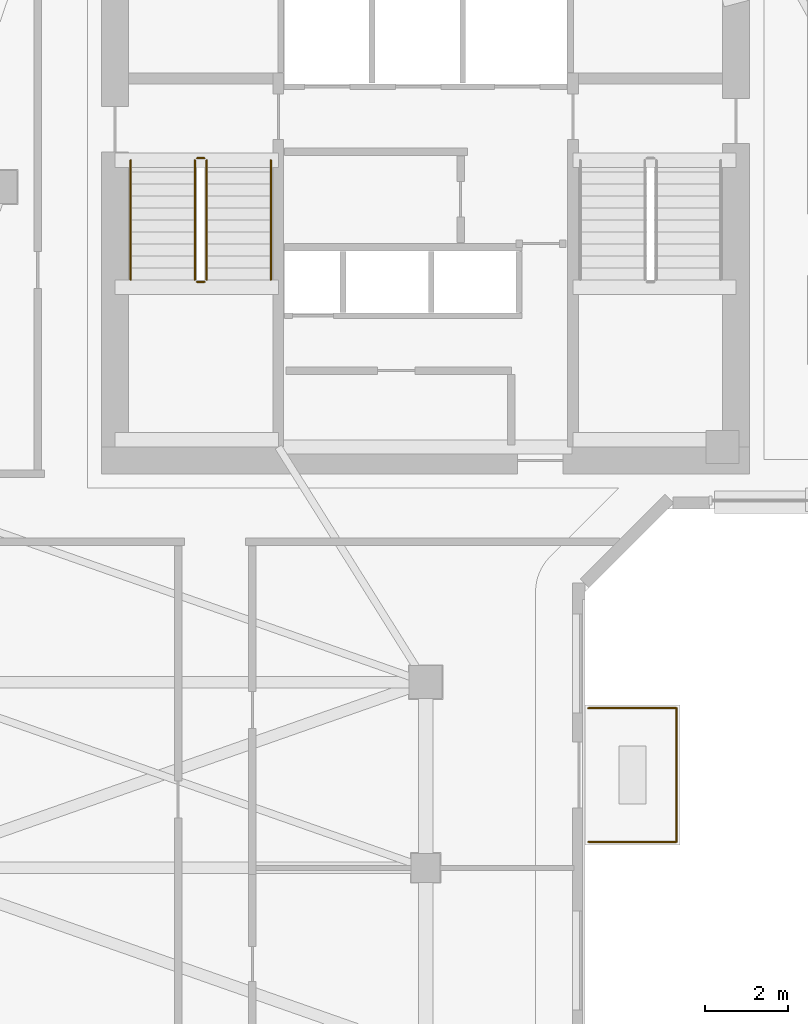
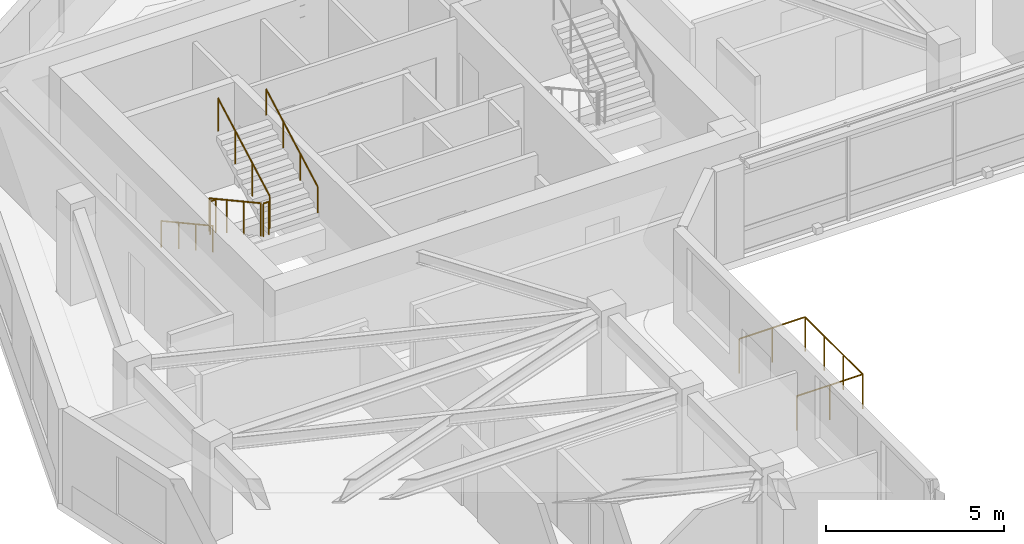
# One storey, part 7 of 9: 9 railings.
"""IFC4 building model written with IfcOpenShell, lengths in metres."""

from ifc_helpers import new_model, si_unit, direction, frame, origin, origin_2d, place, context, subcontext, project, spatial, circle, extrude, material, type_object, element, save


model = new_model("IFC4")

# Units and contexts
model_context = context("Model", 3, precision=1e-05, world=origin(), true_north=direction((0.0, 1.0)))
body_context = subcontext(model_context, "Body", "Model", "MODEL_VIEW")
ifc_project = project(units=[si_unit("LENGTHUNIT", "METRE"), si_unit("AREAUNIT", "SQUARE_METRE"), si_unit("VOLUMEUNIT", "CUBIC_METRE"), si_unit("PLANEANGLEUNIT", "RADIAN"), si_unit("MASSUNIT", "GRAM", prefix="KILO")], contexts=[model_context])

# Site, building, storey
site_placement = place(None, origin())
site = spatial("IfcSite", under=ifc_project, at=site_placement, CompositionType="ELEMENT")
building_placement = place(site_placement, origin())
building = spatial("IfcBuilding", under=site, at=building_placement, Name="Calvemar Wedge Station Tower", CompositionType="ELEMENT")
storey_placement = place(building_placement, frame((0.0, 0.0, 235.89990234375)))
storey = spatial("IfcBuildingStorey", under=building, at=storey_placement, Name="L60", CompositionType="ELEMENT", Elevation=235.89990234375)

# Railings
ifc_material_1 = material(Name="Stainless steel AISI 316L", Category="steel")
railing_type_1 = type_object("IfcRailingType", Name="GRD-TERR-1200", PredefinedType="GUARDRAIL", material=ifc_material_1)
railing_1_placement = place(storey_placement, frame((27.743896484375, 27.8701171875, 0.0)))
element("IfcRailing", 1, at=railing_1_placement, inside=storey, type_object=railing_type_1, Name="Storey L60 Spiral Terrace Guard 2", PredefinedType="GUARDRAIL", context=body_context, shape_type="SweptSolid", body=[
    extrude(circle(Radius=0.02392578125, at=origin_2d()), frame((0.0, 0.0, 1.17578125), z_axis=(1.0, 0.0, 0.0), x_axis=(0.0, 1.0, 0.0)), (0.0, 0.0, 1.0), 2.14013671875),
    extrude(circle(Radius=0.02099609375, at=origin_2d()), origin(), (0.0, 0.0, 1.0), 1.15185546875),
    extrude(circle(Radius=0.02099609375, at=origin_2d()), frame((1.070068359375, 0.0, 0.0)), (0.0, 0.0, 1.0), 1.15185546875),
    extrude(circle(Radius=0.02099609375, at=origin_2d()), frame((2.14013671875, 0.0, 0.0)), (0.0, 0.0, 1.0), 1.15185546875),
])
railing_2_placement = place(storey_placement, frame((29.884033203125, 27.8701171875, 0.0)))
element("IfcRailing", 2, at=railing_2_placement, inside=storey, type_object=railing_type_1, Name="Storey L60 Spiral Terrace Guard 3", PredefinedType="GUARDRAIL", context=body_context, shape_type="SweptSolid", body=[
    extrude(circle(Radius=0.02392578125, at=origin_2d()), frame((0.0, 0.0, 1.17578125), z_axis=(0.0, -1.0, 0.0), x_axis=(1.0, 0.0, 0.0)), (0.0, 0.0, 1.0), 3.240234375),
    extrude(circle(Radius=0.02099609375, at=origin_2d()), origin(), (0.0, 0.0, 1.0), 1.15185546875),
    extrude(circle(Radius=0.02099609375, at=origin_2d()), frame((0.0, -1.080078125, 0.0)), (0.0, 0.0, 1.0), 1.15185546875),
    extrude(circle(Radius=0.02099609375, at=origin_2d()), frame((0.0, -2.16015625, 0.0)), (0.0, 0.0, 1.0), 1.15185546875),
    extrude(circle(Radius=0.02099609375, at=origin_2d()), frame((0.0, -3.240234375, 0.0)), (0.0, 0.0, 1.0), 1.15185546875),
])
railing_3_placement = place(storey_placement, frame((29.884033203125, 24.6298828125, 0.0)))
element("IfcRailing", 3, at=railing_3_placement, inside=storey, type_object=railing_type_1, Name="Storey L60 Spiral Terrace Guard 4", PredefinedType="GUARDRAIL", context=body_context, shape_type="SweptSolid", body=[
    extrude(circle(Radius=0.02392578125, at=origin_2d()), frame((0.0, 0.0, 1.17578125), z_axis=(-1.0, 0.0, 0.0), x_axis=(0.0, -1.0, 0.0)), (0.0, 0.0, 1.0), 2.14013671875),
    extrude(circle(Radius=0.02099609375, at=origin_2d()), origin(), (0.0, 0.0, 1.0), 1.15185546875),
    extrude(circle(Radius=0.02099609375, at=origin_2d()), frame((-1.070068359375, 0.0, 0.0)), (0.0, 0.0, 1.0), 1.15185546875),
    extrude(circle(Radius=0.02099609375, at=origin_2d()), frame((-2.14013671875, 0.0, 0.0)), (0.0, 0.0, 1.0), 1.15185546875),
])
railing_type_2 = type_object("IfcRailingType", Name="RL-HANDRAIL-920", PredefinedType="HANDRAIL", material=ifc_material_1)
railing_4_placement = place(storey_placement, frame((16.64990234375, 41.14990234375, 0.1591796875)))
element("IfcRailing", 4, at=railing_4_placement, inside=storey, type_object=railing_type_2, Name="L60 ST-C1 stair handrail 1", PredefinedType="HANDRAIL", context=body_context, shape_type="SweptSolid", body=[
    extrude(circle(Radius=0.02392578125, at=origin_2d()), frame((0.0, 0.0, 0.89599609375), z_axis=(0.0, -0.876742130028, 0.480960744171), x_axis=(1.0, 0.0, 0.0)), (0.0, 0.0, 1.0), 3.3076171875),
    extrude(circle(Radius=0.02099609375, at=origin_2d()), origin(), (0.0, 0.0, 1.0), 0.871826171875),
    extrude(circle(Radius=0.02099609375, at=origin_2d()), frame((0.0, -0.966552734375, 0.5302734375)), (0.0, 0.0, 1.0), 0.871826171875),
    extrude(circle(Radius=0.02099609375, at=origin_2d()), frame((0.0, -1.933349609375, 1.060546875)), (0.0, 0.0, 1.0), 0.871826171875),
    extrude(circle(Radius=0.02099609375, at=origin_2d()), frame((0.0, -2.89990234375, 1.5908203125)), (0.0, 0.0, 1.0), 0.871826171875),
])
railing_5_placement = place(storey_placement, frame((20.050048828125, 38.25, 1.9091796875)))
element("IfcRailing", 5, at=railing_5_placement, inside=storey, type_object=railing_type_2, Name="L60 ST-C1 stair handrail 2", PredefinedType="HANDRAIL", context=body_context, shape_type="SweptSolid", body=[
    extrude(circle(Radius=0.02392578125, at=origin_2d()), frame((0.0, 0.0, 0.89599609375), z_axis=(0.0, 0.876742130028, 0.480960744171), x_axis=(-1.0, 0.0, 0.0)), (0.0, 0.0, 1.0), 3.3076171875),
    extrude(circle(Radius=0.02099609375, at=origin_2d()), origin(), (0.0, 0.0, 1.0), 0.871826171875),
    extrude(circle(Radius=0.02099609375, at=origin_2d()), frame((0.0, 0.966552734375, 0.5302734375)), (0.0, 0.0, 1.0), 0.871826171875),
    extrude(circle(Radius=0.02099609375, at=origin_2d()), frame((0.0, 1.933349609375, 1.060546875)), (0.0, 0.0, 1.0), 0.871826171875),
    extrude(circle(Radius=0.02099609375, at=origin_2d()), frame((0.0, 2.89990234375, 1.5908203125)), (0.0, 0.0, 1.0), 0.871826171875),
])
ifc_material_2 = material(Name="Painted steel guardrail ASTM A500 Grade C", Category="steel")
railing_type_3 = type_object("IfcRailingType", Name="RL-STAIR-GUARD-1150", PredefinedType="GUARDRAIL", material=ifc_material_2)
railing_6_placement = place(storey_placement, frame((18.2099609375, 41.14990234375, 0.1591796875)))
element("IfcRailing", 6, at=railing_6_placement, inside=storey, type_object=railing_type_3, Name="L60 ST-C1 stair guard 1", PredefinedType="GUARDRAIL", context=body_context, shape_type="SweptSolid", body=[
    extrude(circle(Radius=0.02392578125, at=origin_2d()), frame((0.0, 0.0, 1.1259765625), z_axis=(0.0, -0.876742130028, 0.480960744171), x_axis=(1.0, 0.0, 0.0)), (0.0, 0.0, 1.0), 3.3076171875),
    extrude(circle(Radius=0.02099609375, at=origin_2d()), origin(), (0.0, 0.0, 1.0), 1.101806640625),
    extrude(circle(Radius=0.02099609375, at=origin_2d()), frame((0.0, -0.966552734375, 0.5302734375)), (0.0, 0.0, 1.0), 1.101806640625),
    extrude(circle(Radius=0.02099609375, at=origin_2d()), frame((0.0, -1.933349609375, 1.060546875)), (0.0, 0.0, 1.0), 1.101806640625),
    extrude(circle(Radius=0.02099609375, at=origin_2d()), frame((0.0, -2.89990234375, 1.5908203125)), (0.0, 0.0, 1.0), 1.101806640625),
])
railing_7_placement = place(storey_placement, frame((18.260009765625, 38.199951171875, 1.75)))
element("IfcRailing", 7, at=railing_7_placement, inside=storey, type_object=railing_type_3, Name="L60 ST-C1 stair guard 2", PredefinedType="GUARDRAIL", context=body_context, shape_type="SweptSolid", body=[
    extrude(circle(Radius=0.02392578125, at=origin_2d()), frame((0.0, 0.0, 1.1259765625), z_axis=(1.0, 0.0, 0.0), x_axis=(0.0, 1.0, 0.0)), (0.0, 0.0, 1.0), 0.179931640625),
    extrude(circle(Radius=0.02099609375, at=origin_2d()), origin(), (0.0, 0.0, 1.0), 1.101806640625),
    extrude(circle(Radius=0.02099609375, at=origin_2d()), frame((0.179931640625, 0.0, 0.0)), (0.0, 0.0, 1.0), 1.101806640625),
])
railing_8_placement = place(storey_placement, frame((18.489990234375, 38.25, 1.9091796875)))
element("IfcRailing", 8, at=railing_8_placement, inside=storey, type_object=railing_type_3, Name="L60 ST-C1 stair guard 3", PredefinedType="GUARDRAIL", context=body_context, shape_type="SweptSolid", body=[
    extrude(circle(Radius=0.02392578125, at=origin_2d()), frame((0.0, 0.0, 1.1259765625), z_axis=(0.0, 0.876742130028, 0.480960744171), x_axis=(-1.0, 0.0, 0.0)), (0.0, 0.0, 1.0), 3.3076171875),
    extrude(circle(Radius=0.02099609375, at=origin_2d()), origin(), (0.0, 0.0, 1.0), 1.101806640625),
    extrude(circle(Radius=0.02099609375, at=origin_2d()), frame((0.0, 0.966552734375, 0.5302734375)), (0.0, 0.0, 1.0), 1.101806640625),
    extrude(circle(Radius=0.02099609375, at=origin_2d()), frame((0.0, 1.933349609375, 1.060546875)), (0.0, 0.0, 1.0), 1.101806640625),
    extrude(circle(Radius=0.02099609375, at=origin_2d()), frame((0.0, 2.89990234375, 1.5908203125)), (0.0, 0.0, 1.0), 1.101806640625),
])
railing_9_placement = place(storey_placement, frame((18.260009765625, 41.199951171875, 0.0)))
element("IfcRailing", 9, at=railing_9_placement, inside=storey, type_object=railing_type_3, Name="L60 ST-C1 stair guard 4", PredefinedType="GUARDRAIL", context=body_context, shape_type="SweptSolid", body=[
    extrude(circle(Radius=0.02392578125, at=origin_2d()), frame((0.0, 0.0, 1.1259765625), z_axis=(1.0, 0.0, 0.0), x_axis=(0.0, 1.0, 0.0)), (0.0, 0.0, 1.0), 0.179931640625),
    extrude(circle(Radius=0.02099609375, at=origin_2d()), origin(), (0.0, 0.0, 1.0), 1.101806640625),
    extrude(circle(Radius=0.02099609375, at=origin_2d()), frame((0.179931640625, 0.0, 0.0)), (0.0, 0.0, 1.0), 1.101806640625),
])

save(model, "model.ifc")
